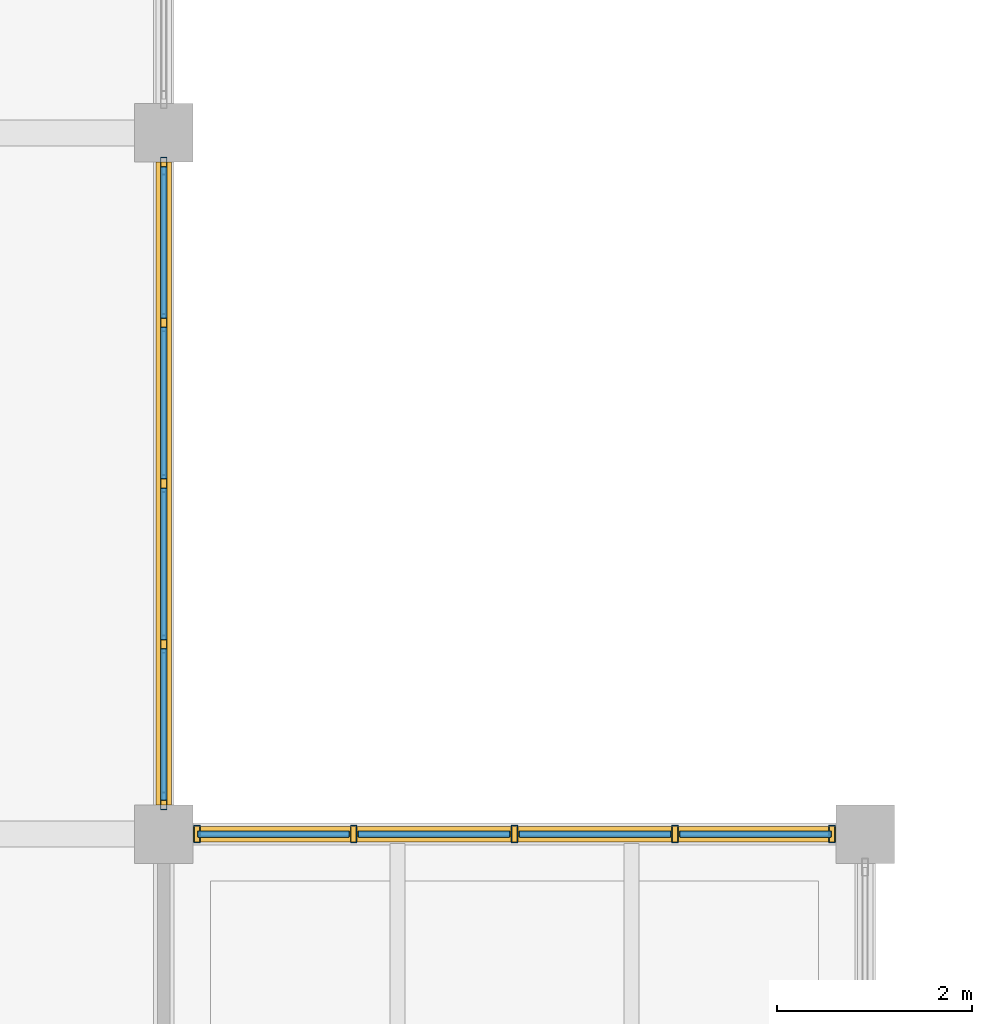
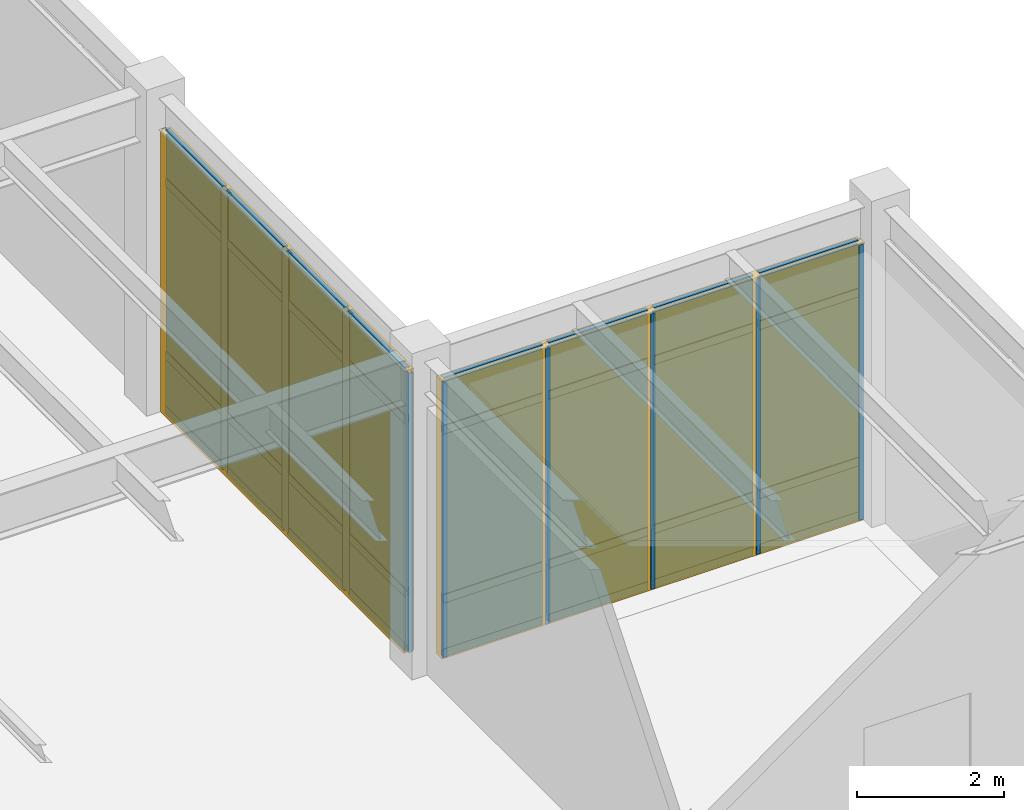
# One storey, part 83 of 97: 42 members, 16 plates, 2 curtain walls.
"""IFC4 building model written with IfcOpenShell, lengths in metres."""

from ifc_helpers import new_model, si_unit, direction, frame, origin, origin_2d, place, context, subcontext, project, spatial, rectangle, hollow_rectangle, extrude, material, layer, layer_set, material_profile, profile_set, type_object, element, aggregate, save


model = new_model("IFC4")

# Units and contexts
model_context = context("Model", 3, precision=1e-05, world=origin(), true_north=direction((0.0, 1.0)))
body_context = subcontext(model_context, "Body", "Model", "MODEL_VIEW")
ifc_project = project(units=[si_unit("LENGTHUNIT", "METRE"), si_unit("AREAUNIT", "SQUARE_METRE"), si_unit("VOLUMEUNIT", "CUBIC_METRE"), si_unit("PLANEANGLEUNIT", "RADIAN"), si_unit("MASSUNIT", "GRAM", prefix="KILO")], contexts=[model_context])

# Member
ifc_material_1 = material(Name="Anodized Aluminium 6063-T6", Category="aluminium")
ifc_material_profile_1 = material_profile(ifc_material_1, hollow_rectangle(XDim=0.06494140625, YDim=0.179931640625, WallThickness=0.00390625, at=origin_2d()), Name="ALU 65x180x4")
ifc_profile_set_1 = profile_set([ifc_material_profile_1], Name="Anodized Aluminium 6063-T6")
member_type_1 = type_object("IfcMemberType", Name="CWM-65X150", PredefinedType="MULLION", material=ifc_profile_set_1)
site_placement = place(None, origin())
building_placement = place(site_placement, origin())
storey_placement = place(building_placement, origin())
member_1_placement = place(storey_placement, frame((136.800048828125, 64.4599609375, 0.02001953125), z_axis=(0.0, 0.0, 1.0), x_axis=(1.0, 0.0, 0.0)))
member_1 = element("IfcMember", 1, at=member_1_placement, type_object=member_type_1, Name="Curtain wall mullion CW-L01-18-08-E-00", PredefinedType="MULLION", context=body_context, shape_type="SweptSolid", body=[
    extrude(hollow_rectangle(XDim=0.06494140625, YDim=0.179931640625, WallThickness=0.00390625, at=origin_2d()), origin(), (0.0, 0.0, 1.0), 4.626953125),
])

member_2_placement = place(storey_placement, frame((136.800048828125, 62.85009765625, 0.02001953125), z_axis=(0.0, 0.0, 1.0), x_axis=(1.0, 0.0, 0.0)))
member_2 = element("IfcMember", 2, at=member_2_placement, type_object=member_type_1, Name="Curtain wall mullion CW-L01-18-08-E-01", PredefinedType="MULLION", context=body_context, shape_type="SweptSolid", body=[
    extrude(hollow_rectangle(XDim=0.06494140625, YDim=0.179931640625, WallThickness=0.00390625, at=origin_2d()), origin(), (0.0, 0.0, 1.0), 4.626953125),
])

member_3_placement = place(storey_placement, frame((136.800048828125, 61.199951171875, 0.02001953125), z_axis=(0.0, 0.0, 1.0), x_axis=(1.0, 0.0, 0.0)))
member_3 = element("IfcMember", 3, at=member_3_placement, type_object=member_type_1, Name="Curtain wall mullion CW-L01-18-08-E-02", PredefinedType="MULLION", context=body_context, shape_type="SweptSolid", body=[
    extrude(hollow_rectangle(XDim=0.06494140625, YDim=0.179931640625, WallThickness=0.00390625, at=origin_2d()), origin(), (0.0, 0.0, 1.0), 4.626953125),
])

member_4_placement = place(storey_placement, frame((136.800048828125, 59.550048828125, 0.02001953125), z_axis=(0.0, 0.0, 1.0), x_axis=(1.0, 0.0, 0.0)))
member_4 = element("IfcMember", 4, at=member_4_placement, type_object=member_type_1, Name="Curtain wall mullion CW-L01-18-08-E-03", PredefinedType="MULLION", context=body_context, shape_type="SweptSolid", body=[
    extrude(hollow_rectangle(XDim=0.06494140625, YDim=0.179931640625, WallThickness=0.00390625, at=origin_2d()), origin(), (0.0, 0.0, 1.0), 4.626953125),
])

member_5_placement = place(storey_placement, frame((136.800048828125, 57.93994140625, 0.02001953125), z_axis=(0.0, 0.0, 1.0), x_axis=(1.0, 0.0, 0.0)))
member_5 = element("IfcMember", 5, at=member_5_placement, type_object=member_type_1, Name="Curtain wall mullion CW-L01-18-08-E-04", PredefinedType="MULLION", context=body_context, shape_type="SweptSolid", body=[
    extrude(hollow_rectangle(XDim=0.06494140625, YDim=0.179931640625, WallThickness=0.00390625, at=origin_2d()), origin(), (0.0, 0.0, 1.0), 4.626953125),
])

member_6_placement = place(storey_placement, frame((137.139892578125, 57.60009765625, 0.02001953125), z_axis=(0.0, 0.0, 1.0), x_axis=(1.0, 0.0, 0.0)))
member_6 = element("IfcMember", 6, at=member_6_placement, type_object=member_type_1, Name="Curtain wall mullion CW-L01-19-07-N-00", PredefinedType="MULLION", context=body_context, shape_type="SweptSolid", body=[
    extrude(hollow_rectangle(XDim=0.06494140625, YDim=0.179931640625, WallThickness=0.00390625, at=origin_2d()), origin(), (0.0, 0.0, 1.0), 4.557861328125),
])

member_7_placement = place(storey_placement, frame((138.75, 57.60009765625, 0.02001953125), z_axis=(0.0, 0.0, 1.0), x_axis=(1.0, 0.0, 0.0)))
member_7 = element("IfcMember", 7, at=member_7_placement, type_object=member_type_1, Name="Curtain wall mullion CW-L01-19-07-N-01", PredefinedType="MULLION", context=body_context, shape_type="SweptSolid", body=[
    extrude(hollow_rectangle(XDim=0.06494140625, YDim=0.179931640625, WallThickness=0.00390625, at=origin_2d()), origin(), (0.0, 0.0, 1.0), 4.557861328125),
])

member_8_placement = place(storey_placement, frame((140.39990234375, 57.60009765625, 0.02001953125), z_axis=(0.0, 0.0, 1.0), x_axis=(1.0, 0.0, 0.0)))
member_8 = element("IfcMember", 8, at=member_8_placement, type_object=member_type_1, Name="Curtain wall mullion CW-L01-19-07-N-02", PredefinedType="MULLION", context=body_context, shape_type="SweptSolid", body=[
    extrude(hollow_rectangle(XDim=0.06494140625, YDim=0.179931640625, WallThickness=0.00390625, at=origin_2d()), origin(), (0.0, 0.0, 1.0), 4.557861328125),
])

member_9_placement = place(storey_placement, frame((142.050048828125, 57.60009765625, 0.02001953125), z_axis=(0.0, 0.0, 1.0), x_axis=(1.0, 0.0, 0.0)))
member_9 = element("IfcMember", 9, at=member_9_placement, type_object=member_type_1, Name="Curtain wall mullion CW-L01-19-07-N-03", PredefinedType="MULLION", context=body_context, shape_type="SweptSolid", body=[
    extrude(hollow_rectangle(XDim=0.06494140625, YDim=0.179931640625, WallThickness=0.00390625, at=origin_2d()), origin(), (0.0, 0.0, 1.0), 4.557861328125),
])

member_10_placement = place(storey_placement, frame((143.659912109375, 57.60009765625, 0.02001953125), z_axis=(0.0, 0.0, 1.0), x_axis=(1.0, 0.0, 0.0)))
member_10 = element("IfcMember", 10, at=member_10_placement, type_object=member_type_1, Name="Curtain wall mullion CW-L01-19-07-N-04", PredefinedType="MULLION", context=body_context, shape_type="SweptSolid", body=[
    extrude(hollow_rectangle(XDim=0.06494140625, YDim=0.179931640625, WallThickness=0.00390625, at=origin_2d()), origin(), (0.0, 0.0, 1.0), 4.557861328125),
])

ifc_material_profile_2 = material_profile(ifc_material_1, hollow_rectangle(XDim=0.06494140625, YDim=0.139892578125, WallThickness=0.00390625, at=origin_2d()), Name="ALU 65x140x4")
ifc_profile_set_2 = profile_set([ifc_material_profile_2], Name="Anodized Aluminium 6063-T6")
member_type_2 = type_object("IfcMemberType", Name="CWT-65X120", PredefinedType="USERDEFINED", material=ifc_profile_set_2)
member_11_placement = place(storey_placement, frame((136.800048828125, 64.449951171875, 0.050048828125), z_axis=(0.0, -1.0, 0.0), x_axis=(1.0, 0.0, 0.0)))
member_11 = element("IfcMember", 11, at=member_11_placement, type_object=member_type_2, Name="Curtain wall transom CW-L01-18-08-E-1.01", ObjectType="TRANSOM", PredefinedType="USERDEFINED", context=body_context, shape_type="SweptSolid", body=[
    extrude(hollow_rectangle(XDim=0.06494140625, YDim=0.139892578125, WallThickness=0.00390625, at=origin_2d()), origin(), (0.0, 0.0, 1.0), 1.550048828125),
])

member_12_placement = place(storey_placement, frame((136.800048828125, 62.800048828125, 0.050048828125), z_axis=(0.0, -1.0, 0.0), x_axis=(1.0, 0.0, 0.0)))
member_12 = element("IfcMember", 12, at=member_12_placement, type_object=member_type_2, Name="Curtain wall transom CW-L01-18-08-E-1.02", ObjectType="TRANSOM", PredefinedType="USERDEFINED", context=body_context, shape_type="SweptSolid", body=[
    extrude(hollow_rectangle(XDim=0.06494140625, YDim=0.139892578125, WallThickness=0.00390625, at=origin_2d()), origin(), (0.0, 0.0, 1.0), 1.550048828125),
])

member_13_placement = place(storey_placement, frame((136.800048828125, 61.14990234375, 0.050048828125), z_axis=(0.0, -1.0, 0.0), x_axis=(1.0, 0.0, 0.0)))
member_13 = element("IfcMember", 13, at=member_13_placement, type_object=member_type_2, Name="Curtain wall transom CW-L01-18-08-E-1.03", ObjectType="TRANSOM", PredefinedType="USERDEFINED", context=body_context, shape_type="SweptSolid", body=[
    extrude(hollow_rectangle(XDim=0.06494140625, YDim=0.139892578125, WallThickness=0.00390625, at=origin_2d()), origin(), (0.0, 0.0, 1.0), 1.5498046875),
])

member_14_placement = place(storey_placement, frame((136.800048828125, 59.5, 0.050048828125), z_axis=(0.0, -1.0, 0.0), x_axis=(1.0, 0.0, 0.0)))
member_14 = element("IfcMember", 14, at=member_14_placement, type_object=member_type_2, Name="Curtain wall transom CW-L01-18-08-E-1.04", ObjectType="TRANSOM", PredefinedType="USERDEFINED", context=body_context, shape_type="SweptSolid", body=[
    extrude(hollow_rectangle(XDim=0.06494140625, YDim=0.139892578125, WallThickness=0.00390625, at=origin_2d()), origin(), (0.0, 0.0, 1.0), 1.550048828125),
])

member_15_placement = place(storey_placement, frame((136.800048828125, 64.449951171875, 0.949951171875), z_axis=(0.0, -1.0, 0.0), x_axis=(1.0, 0.0, 0.0)))
member_15 = element("IfcMember", 15, at=member_15_placement, type_object=member_type_2, Name="Curtain wall transom CW-L01-18-08-E-2.01", ObjectType="TRANSOM", PredefinedType="USERDEFINED", context=body_context, shape_type="SweptSolid", body=[
    extrude(hollow_rectangle(XDim=0.06494140625, YDim=0.139892578125, WallThickness=0.00390625, at=origin_2d()), origin(), (0.0, 0.0, 1.0), 1.550048828125),
])

member_16_placement = place(storey_placement, frame((136.800048828125, 62.800048828125, 0.949951171875), z_axis=(0.0, -1.0, 0.0), x_axis=(1.0, 0.0, 0.0)))
member_16 = element("IfcMember", 16, at=member_16_placement, type_object=member_type_2, Name="Curtain wall transom CW-L01-18-08-E-2.02", ObjectType="TRANSOM", PredefinedType="USERDEFINED", context=body_context, shape_type="SweptSolid", body=[
    extrude(hollow_rectangle(XDim=0.06494140625, YDim=0.139892578125, WallThickness=0.00390625, at=origin_2d()), origin(), (0.0, 0.0, 1.0), 1.550048828125),
])

member_17_placement = place(storey_placement, frame((136.800048828125, 61.14990234375, 0.949951171875), z_axis=(0.0, -1.0, 0.0), x_axis=(1.0, 0.0, 0.0)))
member_17 = element("IfcMember", 17, at=member_17_placement, type_object=member_type_2, Name="Curtain wall transom CW-L01-18-08-E-2.03", ObjectType="TRANSOM", PredefinedType="USERDEFINED", context=body_context, shape_type="SweptSolid", body=[
    extrude(hollow_rectangle(XDim=0.06494140625, YDim=0.139892578125, WallThickness=0.00390625, at=origin_2d()), origin(), (0.0, 0.0, 1.0), 1.5498046875),
])

member_18_placement = place(storey_placement, frame((136.800048828125, 59.5, 0.949951171875), z_axis=(0.0, -1.0, 0.0), x_axis=(1.0, 0.0, 0.0)))
member_18 = element("IfcMember", 18, at=member_18_placement, type_object=member_type_2, Name="Curtain wall transom CW-L01-18-08-E-2.04", ObjectType="TRANSOM", PredefinedType="USERDEFINED", context=body_context, shape_type="SweptSolid", body=[
    extrude(hollow_rectangle(XDim=0.06494140625, YDim=0.139892578125, WallThickness=0.00390625, at=origin_2d()), origin(), (0.0, 0.0, 1.0), 1.550048828125),
])

member_19_placement = place(storey_placement, frame((136.800048828125, 64.449951171875, 3.81689453125), z_axis=(0.0, -1.0, 0.0), x_axis=(1.0, 0.0, 0.0)))
member_19 = element("IfcMember", 19, at=member_19_placement, type_object=member_type_2, Name="Curtain wall transom CW-L01-18-08-E-3.01", ObjectType="TRANSOM", PredefinedType="USERDEFINED", context=body_context, shape_type="SweptSolid", body=[
    extrude(hollow_rectangle(XDim=0.06494140625, YDim=0.139892578125, WallThickness=0.00390625, at=origin_2d()), origin(), (0.0, 0.0, 1.0), 1.550048828125),
])

member_20_placement = place(storey_placement, frame((136.800048828125, 62.800048828125, 3.81689453125), z_axis=(0.0, -1.0, 0.0), x_axis=(1.0, 0.0, 0.0)))
member_20 = element("IfcMember", 20, at=member_20_placement, type_object=member_type_2, Name="Curtain wall transom CW-L01-18-08-E-3.02", ObjectType="TRANSOM", PredefinedType="USERDEFINED", context=body_context, shape_type="SweptSolid", body=[
    extrude(hollow_rectangle(XDim=0.06494140625, YDim=0.139892578125, WallThickness=0.00390625, at=origin_2d()), origin(), (0.0, 0.0, 1.0), 1.550048828125),
])

member_21_placement = place(storey_placement, frame((136.800048828125, 61.14990234375, 3.81689453125), z_axis=(0.0, -1.0, 0.0), x_axis=(1.0, 0.0, 0.0)))
member_21 = element("IfcMember", 21, at=member_21_placement, type_object=member_type_2, Name="Curtain wall transom CW-L01-18-08-E-3.03", ObjectType="TRANSOM", PredefinedType="USERDEFINED", context=body_context, shape_type="SweptSolid", body=[
    extrude(hollow_rectangle(XDim=0.06494140625, YDim=0.139892578125, WallThickness=0.00390625, at=origin_2d()), origin(), (0.0, 0.0, 1.0), 1.5498046875),
])

member_22_placement = place(storey_placement, frame((136.800048828125, 59.5, 3.81689453125), z_axis=(0.0, -1.0, 0.0), x_axis=(1.0, 0.0, 0.0)))
member_22 = element("IfcMember", 22, at=member_22_placement, type_object=member_type_2, Name="Curtain wall transom CW-L01-18-08-E-3.04", ObjectType="TRANSOM", PredefinedType="USERDEFINED", context=body_context, shape_type="SweptSolid", body=[
    extrude(hollow_rectangle(XDim=0.06494140625, YDim=0.139892578125, WallThickness=0.00390625, at=origin_2d()), origin(), (0.0, 0.0, 1.0), 1.550048828125),
])

member_23_placement = place(storey_placement, frame((136.800048828125, 64.449951171875, 4.616943359375), z_axis=(0.0, -1.0, 0.0), x_axis=(1.0, 0.0, 0.0)))
member_23 = element("IfcMember", 23, at=member_23_placement, type_object=member_type_2, Name="Curtain wall transom CW-L01-18-08-E-4.01", ObjectType="TRANSOM", PredefinedType="USERDEFINED", context=body_context, shape_type="SweptSolid", body=[
    extrude(hollow_rectangle(XDim=0.06494140625, YDim=0.139892578125, WallThickness=0.00390625, at=origin_2d()), origin(), (0.0, 0.0, 1.0), 1.550048828125),
])

member_24_placement = place(storey_placement, frame((136.800048828125, 62.800048828125, 4.616943359375), z_axis=(0.0, -1.0, 0.0), x_axis=(1.0, 0.0, 0.0)))
member_24 = element("IfcMember", 24, at=member_24_placement, type_object=member_type_2, Name="Curtain wall transom CW-L01-18-08-E-4.02", ObjectType="TRANSOM", PredefinedType="USERDEFINED", context=body_context, shape_type="SweptSolid", body=[
    extrude(hollow_rectangle(XDim=0.06494140625, YDim=0.139892578125, WallThickness=0.00390625, at=origin_2d()), origin(), (0.0, 0.0, 1.0), 1.550048828125),
])

member_25_placement = place(storey_placement, frame((136.800048828125, 61.14990234375, 4.616943359375), z_axis=(0.0, -1.0, 0.0), x_axis=(1.0, 0.0, 0.0)))
member_25 = element("IfcMember", 25, at=member_25_placement, type_object=member_type_2, Name="Curtain wall transom CW-L01-18-08-E-4.03", ObjectType="TRANSOM", PredefinedType="USERDEFINED", context=body_context, shape_type="SweptSolid", body=[
    extrude(hollow_rectangle(XDim=0.06494140625, YDim=0.139892578125, WallThickness=0.00390625, at=origin_2d()), origin(), (0.0, 0.0, 1.0), 1.5498046875),
])

member_26_placement = place(storey_placement, frame((136.800048828125, 59.5, 4.616943359375), z_axis=(0.0, -1.0, 0.0), x_axis=(1.0, 0.0, 0.0)))
member_26 = element("IfcMember", 26, at=member_26_placement, type_object=member_type_2, Name="Curtain wall transom CW-L01-18-08-E-4.04", ObjectType="TRANSOM", PredefinedType="USERDEFINED", context=body_context, shape_type="SweptSolid", body=[
    extrude(hollow_rectangle(XDim=0.06494140625, YDim=0.139892578125, WallThickness=0.00390625, at=origin_2d()), origin(), (0.0, 0.0, 1.0), 1.550048828125),
])

member_27_placement = place(storey_placement, frame((137.14990234375, 57.60009765625, 0.050048828125), z_axis=(1.0, 0.0, 0.0), x_axis=(0.0, 1.0, 0.0)))
member_27 = element("IfcMember", 27, at=member_27_placement, type_object=member_type_2, Name="Curtain wall transom CW-L01-19-07-N-1.01", ObjectType="TRANSOM", PredefinedType="USERDEFINED", context=body_context, shape_type="SweptSolid", body=[
    extrude(hollow_rectangle(XDim=0.06494140625, YDim=0.139892578125, WallThickness=0.00390625, at=origin_2d()), origin(), (0.0, 0.0, 1.0), 1.550048828125),
])

member_28_placement = place(storey_placement, frame((138.800048828125, 57.60009765625, 0.050048828125), z_axis=(1.0, 0.0, 0.0), x_axis=(0.0, 1.0, 0.0)))
member_28 = element("IfcMember", 28, at=member_28_placement, type_object=member_type_2, Name="Curtain wall transom CW-L01-19-07-N-1.02", ObjectType="TRANSOM", PredefinedType="USERDEFINED", context=body_context, shape_type="SweptSolid", body=[
    extrude(hollow_rectangle(XDim=0.06494140625, YDim=0.139892578125, WallThickness=0.00390625, at=origin_2d()), origin(), (0.0, 0.0, 1.0), 1.550048828125),
])

member_29_placement = place(storey_placement, frame((140.449951171875, 57.60009765625, 0.050048828125), z_axis=(1.0, 0.0, 0.0), x_axis=(0.0, 1.0, 0.0)))
member_29 = element("IfcMember", 29, at=member_29_placement, type_object=member_type_2, Name="Curtain wall transom CW-L01-19-07-N-1.03", ObjectType="TRANSOM", PredefinedType="USERDEFINED", context=body_context, shape_type="SweptSolid", body=[
    extrude(hollow_rectangle(XDim=0.06494140625, YDim=0.139892578125, WallThickness=0.00390625, at=origin_2d()), origin(), (0.0, 0.0, 1.0), 1.550048828125),
])

member_30_placement = place(storey_placement, frame((142.10009765625, 57.60009765625, 0.050048828125), z_axis=(1.0, 0.0, 0.0), x_axis=(0.0, 1.0, 0.0)))
member_30 = element("IfcMember", 30, at=member_30_placement, type_object=member_type_2, Name="Curtain wall transom CW-L01-19-07-N-1.04", ObjectType="TRANSOM", PredefinedType="USERDEFINED", context=body_context, shape_type="SweptSolid", body=[
    extrude(hollow_rectangle(XDim=0.06494140625, YDim=0.139892578125, WallThickness=0.00390625, at=origin_2d()), origin(), (0.0, 0.0, 1.0), 1.5498046875),
])

member_31_placement = place(storey_placement, frame((137.14990234375, 57.60009765625, 0.949951171875), z_axis=(1.0, 0.0, 0.0), x_axis=(0.0, 1.0, 0.0)))
member_31 = element("IfcMember", 31, at=member_31_placement, type_object=member_type_2, Name="Curtain wall transom CW-L01-19-07-N-2.01", ObjectType="TRANSOM", PredefinedType="USERDEFINED", context=body_context, shape_type="SweptSolid", body=[
    extrude(hollow_rectangle(XDim=0.06494140625, YDim=0.139892578125, WallThickness=0.00390625, at=origin_2d()), origin(), (0.0, 0.0, 1.0), 1.550048828125),
])

member_32_placement = place(storey_placement, frame((138.800048828125, 57.60009765625, 0.949951171875), z_axis=(1.0, 0.0, 0.0), x_axis=(0.0, 1.0, 0.0)))
member_32 = element("IfcMember", 32, at=member_32_placement, type_object=member_type_2, Name="Curtain wall transom CW-L01-19-07-N-2.02", ObjectType="TRANSOM", PredefinedType="USERDEFINED", context=body_context, shape_type="SweptSolid", body=[
    extrude(hollow_rectangle(XDim=0.06494140625, YDim=0.139892578125, WallThickness=0.00390625, at=origin_2d()), origin(), (0.0, 0.0, 1.0), 1.550048828125),
])

member_33_placement = place(storey_placement, frame((140.449951171875, 57.60009765625, 0.949951171875), z_axis=(1.0, 0.0, 0.0), x_axis=(0.0, 1.0, 0.0)))
member_33 = element("IfcMember", 33, at=member_33_placement, type_object=member_type_2, Name="Curtain wall transom CW-L01-19-07-N-2.03", ObjectType="TRANSOM", PredefinedType="USERDEFINED", context=body_context, shape_type="SweptSolid", body=[
    extrude(hollow_rectangle(XDim=0.06494140625, YDim=0.139892578125, WallThickness=0.00390625, at=origin_2d()), origin(), (0.0, 0.0, 1.0), 1.550048828125),
])

member_34_placement = place(storey_placement, frame((142.10009765625, 57.60009765625, 0.949951171875), z_axis=(1.0, 0.0, 0.0), x_axis=(0.0, 1.0, 0.0)))
member_34 = element("IfcMember", 34, at=member_34_placement, type_object=member_type_2, Name="Curtain wall transom CW-L01-19-07-N-2.04", ObjectType="TRANSOM", PredefinedType="USERDEFINED", context=body_context, shape_type="SweptSolid", body=[
    extrude(hollow_rectangle(XDim=0.06494140625, YDim=0.139892578125, WallThickness=0.00390625, at=origin_2d()), origin(), (0.0, 0.0, 1.0), 1.5498046875),
])

member_35_placement = place(storey_placement, frame((137.14990234375, 57.60009765625, 3.748046875), z_axis=(1.0, 0.0, 0.0), x_axis=(0.0, 1.0, 0.0)))
member_35 = element("IfcMember", 35, at=member_35_placement, type_object=member_type_2, Name="Curtain wall transom CW-L01-19-07-N-3.01", ObjectType="TRANSOM", PredefinedType="USERDEFINED", context=body_context, shape_type="SweptSolid", body=[
    extrude(hollow_rectangle(XDim=0.06494140625, YDim=0.139892578125, WallThickness=0.00390625, at=origin_2d()), origin(), (0.0, 0.0, 1.0), 1.550048828125),
])

member_36_placement = place(storey_placement, frame((138.800048828125, 57.60009765625, 3.748046875), z_axis=(1.0, 0.0, 0.0), x_axis=(0.0, 1.0, 0.0)))
member_36 = element("IfcMember", 36, at=member_36_placement, type_object=member_type_2, Name="Curtain wall transom CW-L01-19-07-N-3.02", ObjectType="TRANSOM", PredefinedType="USERDEFINED", context=body_context, shape_type="SweptSolid", body=[
    extrude(hollow_rectangle(XDim=0.06494140625, YDim=0.139892578125, WallThickness=0.00390625, at=origin_2d()), origin(), (0.0, 0.0, 1.0), 1.550048828125),
])

member_37_placement = place(storey_placement, frame((140.449951171875, 57.60009765625, 3.748046875), z_axis=(1.0, 0.0, 0.0), x_axis=(0.0, 1.0, 0.0)))
member_37 = element("IfcMember", 37, at=member_37_placement, type_object=member_type_2, Name="Curtain wall transom CW-L01-19-07-N-3.03", ObjectType="TRANSOM", PredefinedType="USERDEFINED", context=body_context, shape_type="SweptSolid", body=[
    extrude(hollow_rectangle(XDim=0.06494140625, YDim=0.139892578125, WallThickness=0.00390625, at=origin_2d()), origin(), (0.0, 0.0, 1.0), 1.550048828125),
])

member_38_placement = place(storey_placement, frame((142.10009765625, 57.60009765625, 3.748046875), z_axis=(1.0, 0.0, 0.0), x_axis=(0.0, 1.0, 0.0)))
member_38 = element("IfcMember", 38, at=member_38_placement, type_object=member_type_2, Name="Curtain wall transom CW-L01-19-07-N-3.04", ObjectType="TRANSOM", PredefinedType="USERDEFINED", context=body_context, shape_type="SweptSolid", body=[
    extrude(hollow_rectangle(XDim=0.06494140625, YDim=0.139892578125, WallThickness=0.00390625, at=origin_2d()), origin(), (0.0, 0.0, 1.0), 1.5498046875),
])

member_39_placement = place(storey_placement, frame((137.14990234375, 57.60009765625, 4.548095703125), z_axis=(1.0, 0.0, 0.0), x_axis=(0.0, 1.0, 0.0)))
member_39 = element("IfcMember", 39, at=member_39_placement, type_object=member_type_2, Name="Curtain wall transom CW-L01-19-07-N-4.01", ObjectType="TRANSOM", PredefinedType="USERDEFINED", context=body_context, shape_type="SweptSolid", body=[
    extrude(hollow_rectangle(XDim=0.06494140625, YDim=0.139892578125, WallThickness=0.00390625, at=origin_2d()), origin(), (0.0, 0.0, 1.0), 1.550048828125),
])

member_40_placement = place(storey_placement, frame((138.800048828125, 57.60009765625, 4.548095703125), z_axis=(1.0, 0.0, 0.0), x_axis=(0.0, 1.0, 0.0)))
member_40 = element("IfcMember", 40, at=member_40_placement, type_object=member_type_2, Name="Curtain wall transom CW-L01-19-07-N-4.02", ObjectType="TRANSOM", PredefinedType="USERDEFINED", context=body_context, shape_type="SweptSolid", body=[
    extrude(hollow_rectangle(XDim=0.06494140625, YDim=0.139892578125, WallThickness=0.00390625, at=origin_2d()), origin(), (0.0, 0.0, 1.0), 1.550048828125),
])

member_41_placement = place(storey_placement, frame((140.449951171875, 57.60009765625, 4.548095703125), z_axis=(1.0, 0.0, 0.0), x_axis=(0.0, 1.0, 0.0)))
member_41 = element("IfcMember", 41, at=member_41_placement, type_object=member_type_2, Name="Curtain wall transom CW-L01-19-07-N-4.03", ObjectType="TRANSOM", PredefinedType="USERDEFINED", context=body_context, shape_type="SweptSolid", body=[
    extrude(hollow_rectangle(XDim=0.06494140625, YDim=0.139892578125, WallThickness=0.00390625, at=origin_2d()), origin(), (0.0, 0.0, 1.0), 1.550048828125),
])

member_42_placement = place(storey_placement, frame((142.10009765625, 57.60009765625, 4.548095703125), z_axis=(1.0, 0.0, 0.0), x_axis=(0.0, 1.0, 0.0)))
member_42 = element("IfcMember", 42, at=member_42_placement, type_object=member_type_2, Name="Curtain wall transom CW-L01-19-07-N-4.04", ObjectType="TRANSOM", PredefinedType="USERDEFINED", context=body_context, shape_type="SweptSolid", body=[
    extrude(hollow_rectangle(XDim=0.06494140625, YDim=0.139892578125, WallThickness=0.00390625, at=origin_2d()), origin(), (0.0, 0.0, 1.0), 1.5498046875),
])

# Plate
ifc_material_2 = material(Name="Double Low-E Insulated Glazing Unit", Category="glass")
ifc_layer_1 = layer(ifc_material_2, 0.0380859375)
ifc_layer_set_1 = layer_set([ifc_layer_1], Name="Double Low-E Insulated Glazing Unit")
plate_type_1 = type_object("IfcPlateType", Name="CWP-IGU-38", PredefinedType="CURTAIN_PANEL", material=ifc_layer_set_1)
plate_1_placement = place(storey_placement, frame((136.800048828125, 63.675048828125, 0.990234375), z_axis=(0.0, 0.0, 1.0), x_axis=(0.0, -1.0, 0.0)))
plate_1 = element("IfcPlate", 43, at=plate_1_placement, type_object=plate_type_1, Name="Curtain wall vision glazing CW-L01-18-08-E-01", PredefinedType="CURTAIN_PANEL", context=body_context, shape_type="SweptSolid", body=[
    extrude(rectangle(XDim=1.56005859375, YDim=0.0400390625, at=origin_2d()), origin(), (0.0, 0.0, 1.0), 3.616943359375),
])

plate_2_placement = place(storey_placement, frame((136.800048828125, 62.02490234375, 0.990234375), z_axis=(0.0, 0.0, 1.0), x_axis=(0.0, -1.0, 0.0)))
plate_2 = element("IfcPlate", 44, at=plate_2_placement, type_object=plate_type_1, Name="Curtain wall vision glazing CW-L01-18-08-E-02", PredefinedType="CURTAIN_PANEL", context=body_context, shape_type="SweptSolid", body=[
    extrude(rectangle(XDim=1.56005859375, YDim=0.0400390625, at=origin_2d()), origin(), (0.0, 0.0, 1.0), 3.616943359375),
])

plate_3_placement = place(storey_placement, frame((136.800048828125, 60.375, 0.990234375), z_axis=(0.0, 0.0, 1.0), x_axis=(0.0, -1.0, 0.0)))
plate_3 = element("IfcPlate", 45, at=plate_3_placement, type_object=plate_type_1, Name="Curtain wall vision glazing CW-L01-18-08-E-03", PredefinedType="CURTAIN_PANEL", context=body_context, shape_type="SweptSolid", body=[
    extrude(rectangle(XDim=1.56005859375, YDim=0.0400390625, at=origin_2d()), origin(), (0.0, 0.0, 1.0), 3.616943359375),
])

plate_4_placement = place(storey_placement, frame((136.800048828125, 58.72509765625, 0.990234375), z_axis=(0.0, 0.0, 1.0), x_axis=(0.0, -1.0, 0.0)))
plate_4 = element("IfcPlate", 46, at=plate_4_placement, type_object=plate_type_1, Name="Curtain wall vision glazing CW-L01-18-08-E-04", PredefinedType="CURTAIN_PANEL", context=body_context, shape_type="SweptSolid", body=[
    extrude(rectangle(XDim=1.56005859375, YDim=0.0400390625, at=origin_2d()), origin(), (0.0, 0.0, 1.0), 3.616943359375),
])

plate_5_placement = place(storey_placement, frame((137.925048828125, 57.60009765625, 0.98974609375), z_axis=(0.0, 0.0, 1.0), x_axis=(1.0, 0.0, 0.0)))
plate_5 = element("IfcPlate", 47, at=plate_5_placement, type_object=plate_type_1, Name="Curtain wall vision glazing CW-L01-19-07-N-01", PredefinedType="CURTAIN_PANEL", context=body_context, shape_type="SweptSolid", body=[
    extrude(rectangle(XDim=1.56005859375, YDim=0.0400390625, at=origin_2d()), origin(), (0.0, 0.0, 1.0), 3.548095703125),
])

plate_6_placement = place(storey_placement, frame((139.574951171875, 57.60009765625, 0.98974609375), z_axis=(0.0, 0.0, 1.0), x_axis=(1.0, 0.0, 0.0)))
plate_6 = element("IfcPlate", 48, at=plate_6_placement, type_object=plate_type_1, Name="Curtain wall vision glazing CW-L01-19-07-N-02", PredefinedType="CURTAIN_PANEL", context=body_context, shape_type="SweptSolid", body=[
    extrude(rectangle(XDim=1.56005859375, YDim=0.0400390625, at=origin_2d()), origin(), (0.0, 0.0, 1.0), 3.548095703125),
])

plate_7_placement = place(storey_placement, frame((141.22509765625, 57.60009765625, 0.98974609375), z_axis=(0.0, 0.0, 1.0), x_axis=(1.0, 0.0, 0.0)))
plate_7 = element("IfcPlate", 49, at=plate_7_placement, type_object=plate_type_1, Name="Curtain wall vision glazing CW-L01-19-07-N-03", PredefinedType="CURTAIN_PANEL", context=body_context, shape_type="SweptSolid", body=[
    extrude(rectangle(XDim=1.56005859375, YDim=0.0400390625, at=origin_2d()), origin(), (0.0, 0.0, 1.0), 3.548095703125),
])

plate_8_placement = place(storey_placement, frame((142.875, 57.60009765625, 0.98974609375), z_axis=(0.0, 0.0, 1.0), x_axis=(1.0, 0.0, 0.0)))
plate_8 = element("IfcPlate", 50, at=plate_8_placement, type_object=plate_type_1, Name="Curtain wall vision glazing CW-L01-19-07-N-04", PredefinedType="CURTAIN_PANEL", context=body_context, shape_type="SweptSolid", body=[
    extrude(rectangle(XDim=1.56005859375, YDim=0.0400390625, at=origin_2d()), origin(), (0.0, 0.0, 1.0), 3.548095703125),
])

ifc_material_3 = material(Name="Insulated Bronze Aluminium Spandrel", Category="aluminium")
ifc_layer_2 = layer(ifc_material_3, 0.06005859375)
ifc_layer_set_2 = layer_set([ifc_layer_2], Name="Insulated Bronze Aluminium Spandrel")
plate_type_2 = type_object("IfcPlateType", Name="CWP-SPN-60", PredefinedType="CURTAIN_PANEL", material=ifc_layer_set_2)
plate_9_placement = place(storey_placement, frame((136.800048828125, 63.675048828125, 0.080078125), z_axis=(0.0, 0.0, 1.0), x_axis=(0.0, -1.0, 0.0)))
plate_9 = element("IfcPlate", 51, at=plate_9_placement, type_object=plate_type_2, Name="Curtain wall spandrel panel CW-L01-18-08-E-01", PredefinedType="CURTAIN_PANEL", context=body_context, shape_type="SweptSolid", body=[
    extrude(rectangle(XDim=1.56005859375, YDim=0.06005859375, at=origin_2d()), origin(), (0.0, 0.0, 1.0), 0.840087890625),
])

plate_10_placement = place(storey_placement, frame((136.800048828125, 62.02490234375, 0.080078125), z_axis=(0.0, 0.0, 1.0), x_axis=(0.0, -1.0, 0.0)))
plate_10 = element("IfcPlate", 52, at=plate_10_placement, type_object=plate_type_2, Name="Curtain wall spandrel panel CW-L01-18-08-E-02", PredefinedType="CURTAIN_PANEL", context=body_context, shape_type="SweptSolid", body=[
    extrude(rectangle(XDim=1.56005859375, YDim=0.06005859375, at=origin_2d()), origin(), (0.0, 0.0, 1.0), 0.840087890625),
])

plate_11_placement = place(storey_placement, frame((136.800048828125, 60.375, 0.080078125), z_axis=(0.0, 0.0, 1.0), x_axis=(0.0, -1.0, 0.0)))
plate_11 = element("IfcPlate", 53, at=plate_11_placement, type_object=plate_type_2, Name="Curtain wall spandrel panel CW-L01-18-08-E-03", PredefinedType="CURTAIN_PANEL", context=body_context, shape_type="SweptSolid", body=[
    extrude(rectangle(XDim=1.56005859375, YDim=0.06005859375, at=origin_2d()), origin(), (0.0, 0.0, 1.0), 0.840087890625),
])

plate_12_placement = place(storey_placement, frame((136.800048828125, 58.72509765625, 0.080078125), z_axis=(0.0, 0.0, 1.0), x_axis=(0.0, -1.0, 0.0)))
plate_12 = element("IfcPlate", 54, at=plate_12_placement, type_object=plate_type_2, Name="Curtain wall spandrel panel CW-L01-18-08-E-04", PredefinedType="CURTAIN_PANEL", context=body_context, shape_type="SweptSolid", body=[
    extrude(rectangle(XDim=1.56005859375, YDim=0.06005859375, at=origin_2d()), origin(), (0.0, 0.0, 1.0), 0.840087890625),
])

plate_13_placement = place(storey_placement, frame((137.925048828125, 57.60009765625, 0.080078125), z_axis=(0.0, 0.0, 1.0), x_axis=(1.0, 0.0, 0.0)))
plate_13 = element("IfcPlate", 55, at=plate_13_placement, type_object=plate_type_2, Name="Curtain wall spandrel panel CW-L01-19-07-N-01", PredefinedType="CURTAIN_PANEL", context=body_context, shape_type="SweptSolid", body=[
    extrude(rectangle(XDim=1.56005859375, YDim=0.06005859375, at=origin_2d()), origin(), (0.0, 0.0, 1.0), 0.840087890625),
])

plate_14_placement = place(storey_placement, frame((139.574951171875, 57.60009765625, 0.080078125), z_axis=(0.0, 0.0, 1.0), x_axis=(1.0, 0.0, 0.0)))
plate_14 = element("IfcPlate", 56, at=plate_14_placement, type_object=plate_type_2, Name="Curtain wall spandrel panel CW-L01-19-07-N-02", PredefinedType="CURTAIN_PANEL", context=body_context, shape_type="SweptSolid", body=[
    extrude(rectangle(XDim=1.56005859375, YDim=0.06005859375, at=origin_2d()), origin(), (0.0, 0.0, 1.0), 0.840087890625),
])

plate_15_placement = place(storey_placement, frame((141.22509765625, 57.60009765625, 0.080078125), z_axis=(0.0, 0.0, 1.0), x_axis=(1.0, 0.0, 0.0)))
plate_15 = element("IfcPlate", 57, at=plate_15_placement, type_object=plate_type_2, Name="Curtain wall spandrel panel CW-L01-19-07-N-03", PredefinedType="CURTAIN_PANEL", context=body_context, shape_type="SweptSolid", body=[
    extrude(rectangle(XDim=1.56005859375, YDim=0.06005859375, at=origin_2d()), origin(), (0.0, 0.0, 1.0), 0.840087890625),
])

plate_16_placement = place(storey_placement, frame((142.875, 57.60009765625, 0.080078125), z_axis=(0.0, 0.0, 1.0), x_axis=(1.0, 0.0, 0.0)))
plate_16 = element("IfcPlate", 58, at=plate_16_placement, type_object=plate_type_2, Name="Curtain wall spandrel panel CW-L01-19-07-N-04", PredefinedType="CURTAIN_PANEL", context=body_context, shape_type="SweptSolid", body=[
    extrude(rectangle(XDim=1.56005859375, YDim=0.06005859375, at=origin_2d()), origin(), (0.0, 0.0, 1.0), 0.840087890625),
])

# Site, building, storey
site = spatial("IfcSite", under=ifc_project, at=site_placement, CompositionType="ELEMENT")
building = spatial("IfcBuilding", under=site, at=building_placement, Name="Sillqori Civic Hall", CompositionType="ELEMENT")
storey = spatial("IfcBuildingStorey", under=building, at=storey_placement, Name="L01", CompositionType="ELEMENT", Elevation=0.0)

# Curtain wall
ifc_material_4 = material(Name="Anodized Aluminium Curtain Wall System", Category="aluminium")
curtain_wall_type = type_object("IfcCurtainWallType", Name="CW-SF-540", PredefinedType="NOTDEFINED", material=ifc_material_4)
curtain_wall_1_placement = place(storey_placement, frame((136.800048828125, 61.199951171875, 0.0), z_axis=(0.0, 0.0, 1.0), x_axis=(0.0, -1.0, 0.0)))
curtain_wall_1 = element("IfcCurtainWall", 59, at=curtain_wall_1_placement, inside=storey, type_object=curtain_wall_type, Name="L01 unitised curtain wall CW-L01-18-08-E", PredefinedType="NOTDEFINED", context=body_context, shape_type="SweptSolid", body=[
    extrude(rectangle(XDim=6.60009765625, YDim=0.159912109375, at=origin_2d()), origin(), (0.0, 0.0, 1.0), 4.6669921875),
])

aggregate(curtain_wall_1, [member_1, member_2, member_3, member_4, member_5, member_11, member_12, member_13, member_14, member_15, member_16, member_17, member_18, member_19, member_20, member_21, member_22, member_23, member_24, member_25, member_26, plate_9, plate_1, plate_10, plate_2, plate_11, plate_3, plate_12, plate_4])

curtain_wall_2_placement = place(storey_placement, frame((140.39990234375, 57.60009765625, 0.0), z_axis=(0.0, 0.0, 1.0), x_axis=(1.0, 0.0, 0.0)))
curtain_wall_2 = element("IfcCurtainWall", 60, at=curtain_wall_2_placement, inside=storey, type_object=curtain_wall_type, Name="L01 unitised curtain wall CW-L01-19-07-N", PredefinedType="NOTDEFINED", context=body_context, shape_type="SweptSolid", body=[
    extrude(rectangle(XDim=6.60009765625, YDim=0.159912109375, at=origin_2d()), origin(), (0.0, 0.0, 1.0), 4.597900390625),
])

aggregate(curtain_wall_2, [member_6, member_7, member_8, member_9, member_10, member_27, member_28, member_29, member_30, member_31, member_32, member_33, member_34, member_35, member_36, member_37, member_38, member_39, member_40, member_41, member_42, plate_13, plate_5, plate_14, plate_6, plate_15, plate_7, plate_16, plate_8])

save(model, "model.ifc")
